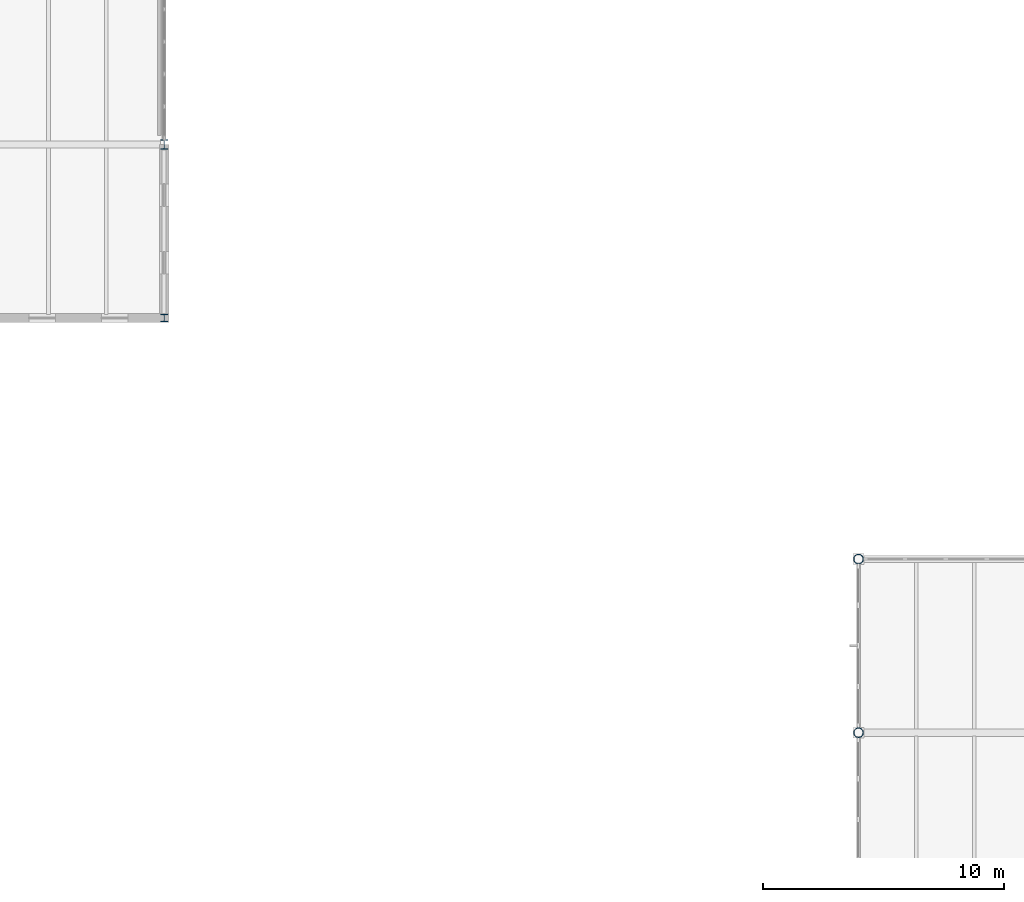
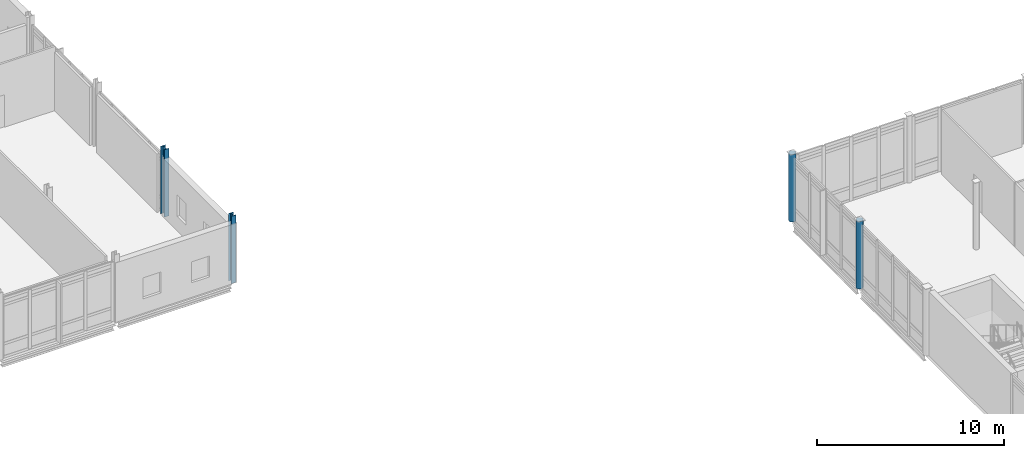
# One storey, part 9 of 76: 4 columns.
"""IFC4 building model written with IfcOpenShell, lengths in metres."""

from ifc_helpers import new_model, si_unit, direction, frame, origin, origin_2d, place, context, subcontext, project, spatial, hollow_circle, i_section, extrude, material, material_profile, profile_set, type_object, element, save


model = new_model("IFC4")

# Units and contexts
model_context = context("Model", 3, precision=1e-05, world=origin(), true_north=direction((0.0, 1.0)))
body_context = subcontext(model_context, "Body", "Model", "MODEL_VIEW")
ifc_project = project(units=[si_unit("LENGTHUNIT", "METRE"), si_unit("AREAUNIT", "SQUARE_METRE"), si_unit("VOLUMEUNIT", "CUBIC_METRE"), si_unit("PLANEANGLEUNIT", "RADIAN"), si_unit("MASSUNIT", "GRAM", prefix="KILO")], contexts=[model_context])

# Site, building, storey
site_placement = place(None, origin())
site = spatial("IfcSite", under=ifc_project, at=site_placement, CompositionType="ELEMENT")
building_placement = place(site_placement, origin())
building = spatial("IfcBuilding", under=site, at=building_placement, Name="Zarrinpeak Specialist Clinic", CompositionType="ELEMENT")
storey_placement = place(building_placement, frame((0.0, 0.0, 5.199951171875)))
storey = spatial("IfcBuildingStorey", under=building, at=storey_placement, Name="L01", CompositionType="ELEMENT", Elevation=5.199951171875)

# Columns
ifc_material = material(Name="Steel S355", Category="steel")
ifc_material_profile_1 = material_profile(ifc_material, hollow_circle(Radius=0.203125, WallThickness=0.01611328125, at=origin_2d()), Name="CHS 406.4x16.0")
ifc_profile_set_1 = profile_set([ifc_material_profile_1], Name="Steel S355")
column_type_1 = type_object("IfcColumnType", Name="COL-CHS406", PredefinedType="COLUMN", material=ifc_profile_set_1)
for number, where, z_axis, x_axis, name in (
    (1, (93.60009765625, 64.800048828125, 0.0), (0.0, 0.0, 1.0), (1.0, 0.0, 0.0), "L01 Structural Column COL-L01-141"),
    (2, (93.60009765625, 72.0, 0.0), (0.0, 0.0, 1.0), (1.0, 0.0, 0.0), "L01 Structural Column COL-L01-142"),
):
    element("IfcColumn", number, at=place(storey_placement, frame(where, z_axis=z_axis, x_axis=x_axis)), inside=storey, type_object=column_type_1, Name=name, PredefinedType="COLUMN", context=body_context, shape_type="SweptSolid", body=[
        extrude(hollow_circle(Radius=0.203125, WallThickness=0.01611328125, at=origin_2d()), origin(), (0.0, 0.0, 1.0), 4.400146484375),
    ])
ifc_material_profile_2 = material_profile(ifc_material, i_section(OverallWidth=0.300048828125, OverallDepth=0.320068359375, WebThickness=0.011474609375, FlangeThickness=0.0205078125, FilletRadius=0.027099609375, at=origin_2d()), Name="HEB 320")
ifc_profile_set_2 = profile_set([ifc_material_profile_2], Name="Steel S355")
column_type_2 = type_object("IfcColumnType", Name="COL-HEB320", PredefinedType="COLUMN", material=ifc_profile_set_2)
column_1_placement = place(storey_placement, frame((64.800048828125, 82.0, 0.0), z_axis=(0.0, 0.0, 1.0), x_axis=(1.0, 0.0, 0.0)))
element("IfcColumn", 3, at=column_1_placement, inside=storey, type_object=column_type_2, Name="L01 Structural Column COL-L01-119", PredefinedType="COLUMN", context=body_context, shape_type="SweptSolid", body=[
    extrude(i_section(OverallWidth=0.300048828125, OverallDepth=0.320068359375, WebThickness=0.011474609375, FlangeThickness=0.0205078125, FilletRadius=0.027099609375, at=origin_2d()), origin(), (0.0, 0.0, 1.0), 4.400146484375),
])
ifc_material_profile_3 = material_profile(ifc_material, i_section(OverallWidth=0.300048828125, OverallDepth=0.39990234375, WebThickness=0.013427734375, FlangeThickness=0.02392578125, FilletRadius=0.027099609375, at=origin_2d()), Name="HEB 400")
ifc_profile_set_3 = profile_set([ifc_material_profile_3], Name="Steel S355")
column_type_3 = type_object("IfcColumnType", Name="COL-HEB400", PredefinedType="COLUMN", material=ifc_profile_set_3)
column_2_placement = place(storey_placement, frame((64.800048828125, 89.199951171875, 0.0), z_axis=(0.0, 0.0, 1.0), x_axis=(1.0, 0.0, 0.0)))
element("IfcColumn", 4, at=column_2_placement, inside=storey, type_object=column_type_3, Name="L01 Structural Column COL-L01-120", PredefinedType="COLUMN", context=body_context, shape_type="SweptSolid", body=[
    extrude(i_section(OverallWidth=0.300048828125, OverallDepth=0.39990234375, WebThickness=0.013427734375, FlangeThickness=0.02392578125, FilletRadius=0.027099609375, at=origin_2d()), origin(), (0.0, 0.0, 1.0), 4.400146484375),
])

save(model, "model.ifc")
